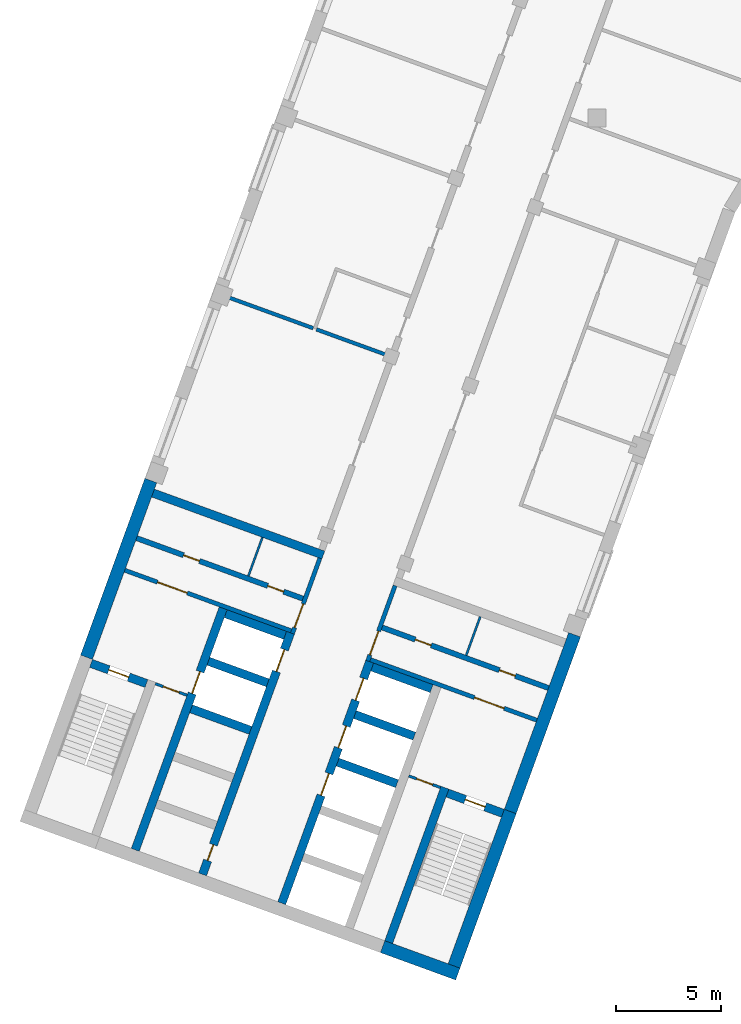
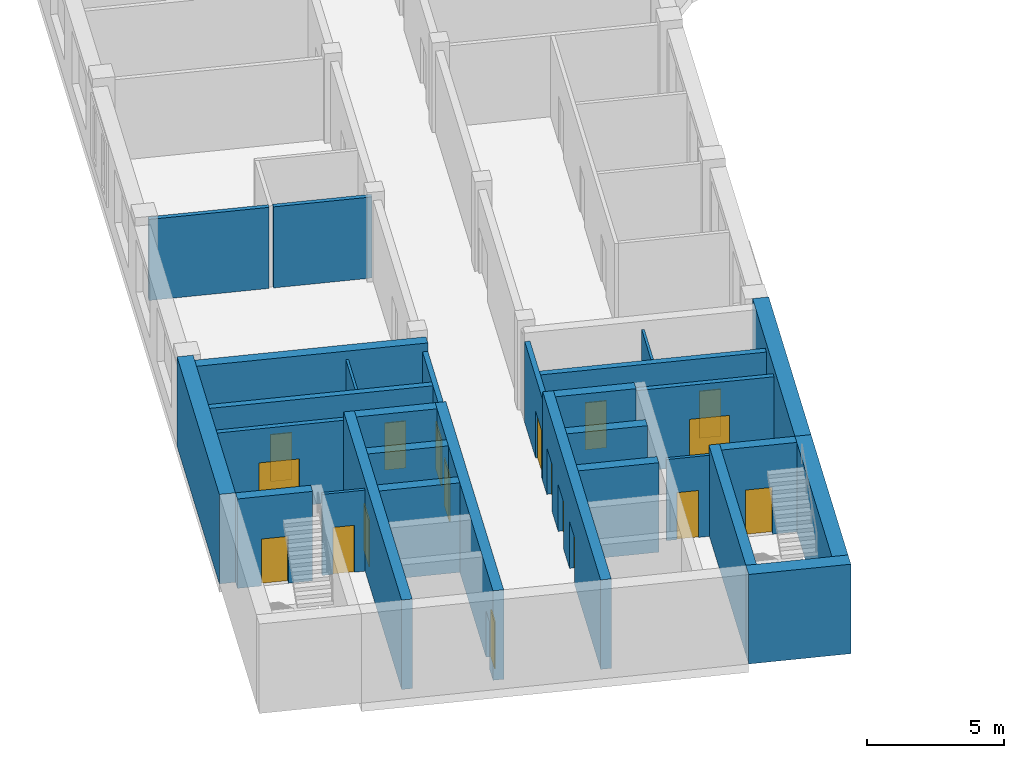
# One storey, part 2 of 14: 29 walls, 18 doors, 18 openings.
"""IFC4 building model written with IfcOpenShell, lengths in metres."""

from ifc_helpers import new_model, si_unit, direction, frame, frame_2d, origin, place, context, subcontext, project, spatial, rectangle, extrude, material, layer, layer_set, type_object, element, fill, save


model = new_model("IFC4")

# Units and contexts
model_context = context("Model", 3, precision=1e-05, world=origin(), true_north=direction((0.0, 1.0)))
body_context = subcontext(model_context, "Body", "Model", "MODEL_VIEW")
ifc_project = project(units=[si_unit("LENGTHUNIT", "METRE"), si_unit("AREAUNIT", "SQUARE_METRE"), si_unit("VOLUMEUNIT", "CUBIC_METRE"), si_unit("PLANEANGLEUNIT", "RADIAN"), si_unit("MASSUNIT", "GRAM", prefix="KILO")], contexts=[model_context])

# Site, building, storey
site_placement = place(None, origin())
site = spatial("IfcSite", under=ifc_project, at=site_placement, CompositionType="ELEMENT")
building_placement = place(site_placement, origin())
building = spatial("IfcBuilding", under=site, at=building_placement, Name="Skarvind Civic Tower", CompositionType="ELEMENT")
storey_placement = place(building_placement, frame((0.0, 0.0, 89.0)))
storey = spatial("IfcBuildingStorey", under=building, at=storey_placement, Name="L20", CompositionType="ELEMENT", Elevation=89.0)

# Walls
ifc_material_1 = material(Name="Acoustic gypsum board on steel studs", Category="steel")
ifc_layer_1 = layer(ifc_material_1, 0.175048828125)
ifc_layer_set_1 = layer_set([ifc_layer_1], Name="ACOUSTIC MEETING-ROOM PARTITION 175")
wall_type_1 = type_object("IfcWallType", Name="ACOUSTIC MEETING-ROOM PARTITION 175", PredefinedType="PARTITIONING", material=ifc_layer_set_1)
wall_1_placement = place(storey_placement, frame((28.27490234375, 109.708984375, 0.0), z_axis=(0.0, 0.0, 1.0), x_axis=(0.939727969122, -0.34192300895, 0.0)))
element("IfcWall", 1, at=wall_1_placement, inside=storey, type_object=wall_type_1, Name="Partition 20.001", PredefinedType="PARTITIONING", context=body_context, shape_type="SweptSolid", body=[
    extrude(rectangle(XDim=4.46630859375, YDim=0.175048828125, at=frame_2d((2.233154296875, 0.0))), origin(), (0.0, 0.0, 1.0), 3.625),
])
wall_2_placement = place(storey_placement, frame((32.6298828125, 108.1240234375, 0.0), z_axis=(0.0, 0.0, 1.0), x_axis=(0.939692277825, -0.342021085601, 0.0)))
element("IfcWall", 2, at=wall_2_placement, inside=storey, type_object=wall_type_1, Name="Partition 20.003", PredefinedType="PARTITIONING", context=body_context, shape_type="SweptSolid", body=[
    extrude(rectangle(XDim=3.666259765625, YDim=0.175048828125, at=frame_2d((1.8330078125, 0.0))), origin(), (0.0, 0.0, 1.0), 3.625),
])

# Wall, opening, door
ifc_material_2 = material(Name="Fire-rated masonry partition", Category="masonry")
ifc_layer_2 = layer(ifc_material_2, 0.199951171875)
ifc_layer_set_2 = layer_set([ifc_layer_2], Name="Core enclosure wall 200")
wall_type_2 = type_object("IfcWallType", Name="Core enclosure wall 200", PredefinedType="PARTITIONING", material=ifc_layer_set_2)
wall_3_placement = place(storey_placement, frame((31.491455078125, 93.693359375, 0.0), z_axis=(0.0, 0.0, 1.0), x_axis=(0.341995824804, 0.939701471648, 0.0)))
wall_3 = element("IfcWall", 3, at=wall_3_placement, inside=storey, type_object=wall_type_2, Name="Core wall C2", PredefinedType="PARTITIONING", context=body_context, shape_type="SweptSolid", body=[
    extrude(rectangle(XDim=3.800048828125, YDim=0.199951171875, at=frame_2d((1.89990234375, 0.0))), origin(), (0.0, 0.0, 1.0), 3.625),
])
opening_1_placement = place(wall_3_placement, frame((0.300048828125, 0.0, 0.0)))
opening_1 = element("IfcOpeningElement", 4, at=opening_1_placement, cuts=wall_3, Name="Opening D-L20-C2-06", PredefinedType="OPENING", context=body_context, shape_type="SweptSolid", body=[
    extrude(rectangle(XDim=1.199951171875, YDim=2.10009765625, at=frame_2d((0.60009765625, 1.050048828125))), frame((0.0, 0.10986328125, 0.0), z_axis=(0.0, -1.0, 0.0), x_axis=(1.0, 0.0, 0.0)), (0.0, 0.0, 1.0), 0.219970703125),
])
ifc_material_3 = material(Name="Fire-rated steel door", Category="steel")
door_type_1 = type_object("IfcDoorType", Name="Core lobby door 1200", OperationType="NOTDEFINED", PredefinedType="DOOR", material=ifc_material_3)
door_1_placement = place(opening_1_placement, origin())
door_1 = element("IfcDoor", 5, at=door_1_placement, inside=storey, type_object=door_type_1, Name="Fire door", OperationType="DOUBLE_DOOR_SINGLE_SWING", OverallHeight=2.10009765625, OverallWidth=1.199951171875, PredefinedType="DOOR", context=body_context, shape_type="SweptSolid", body=[
    extrude(rectangle(XDim=1.199951171875, YDim=2.10009765625, at=frame_2d((0.60009765625, 1.050048828125))), frame((0.0, 0.02490234375, 0.0), z_axis=(0.0, -1.0, 0.0), x_axis=(1.0, 0.0, 0.0)), (0.0, 0.0, 1.0), 0.050048828125),
])
fill(opening_1, door_1)

wall_4_placement = place(storey_placement, frame((23.5380859375, 96.6943359375, 0.0), z_axis=(0.0, 0.0, 1.0), x_axis=(0.939691552312, -0.342023078919, 0.0)))
wall_4 = element("IfcWall", 6, at=wall_4_placement, inside=storey, type_object=wall_type_2, Name="Core wall C2", PredefinedType="PARTITIONING", context=body_context, shape_type="SweptSolid", body=[
    extrude(rectangle(XDim=8.400146484375, YDim=0.199951171875, at=frame_2d((4.2001953125, 0.0))), origin(), (0.0, 0.0, 1.0), 3.625),
])
opening_2_placement = place(wall_4_placement, frame((1.64990234375, 0.0, 0.0)))
opening_2 = element("IfcOpeningElement", 7, at=opening_2_placement, cuts=wall_4, Name="Opening D-L20-C2-07", PredefinedType="OPENING", context=body_context, shape_type="SweptSolid", body=[
    extrude(rectangle(XDim=1.5, YDim=2.10009765625, at=frame_2d((0.75, 1.050048828125))), frame((0.0, 0.10986328125, 0.0), z_axis=(0.0, -1.0, 0.0), x_axis=(1.0, 0.0, 0.0)), (0.0, 0.0, 1.0), 0.219970703125),
])
door_type_2 = type_object("IfcDoorType", Name="Fire door 1500", OperationType="NOTDEFINED", PredefinedType="DOOR", material=ifc_material_3)
door_2_placement = place(opening_2_placement, origin())
door_2 = element("IfcDoor", 8, at=door_2_placement, inside=storey, type_object=door_type_2, Name="Fire door", OperationType="DOUBLE_DOOR_SINGLE_SWING", OverallHeight=2.10009765625, OverallWidth=1.5, PredefinedType="DOOR", context=body_context, shape_type="SweptSolid", body=[
    extrude(rectangle(XDim=1.5, YDim=2.10009765625, at=frame_2d((0.75, 1.050048828125))), frame((0.0, 0.02490234375, 0.0), z_axis=(0.0, -1.0, 0.0), x_axis=(1.0, 0.0, 0.0)), (0.0, 0.0, 1.0), 0.050048828125),
])
fill(opening_2, door_2)

wall_5_placement = place(storey_placement, frame((36.36181640625, 95.96435546875, 0.0), z_axis=(0.0, 0.0, 1.0), x_axis=(-0.341995824804, -0.939701471648, 0.0)))
wall_5 = element("IfcWall", 9, at=wall_5_placement, inside=storey, type_object=wall_type_2, Name="Core wall C2", PredefinedType="PARTITIONING", context=body_context, shape_type="SweptSolid", body=[
    extrude(rectangle(XDim=3.800048828125, YDim=0.199951171875, at=frame_2d((1.89990234375, 0.0))), origin(), (0.0, 0.0, 1.0), 3.625),
])
opening_3_placement = place(wall_5_placement, frame((2.300048828125, 0.0, 0.0)))
opening_3 = element("IfcOpeningElement", 10, at=opening_3_placement, cuts=wall_5, Name="Opening D-L20-C2-12", PredefinedType="OPENING", context=body_context, shape_type="SweptSolid", body=[
    extrude(rectangle(XDim=1.199951171875, YDim=2.10009765625, at=frame_2d((0.60009765625, 1.050048828125))), frame((0.0, 0.10986328125, 0.0), z_axis=(0.0, -1.0, 0.0), x_axis=(1.0, 0.0, 0.0)), (0.0, 0.0, 1.0), 0.219970703125),
])
door_3_placement = place(opening_3_placement, origin())
door_3 = element("IfcDoor", 11, at=door_3_placement, inside=storey, type_object=door_type_1, Name="Fire door", OperationType="DOUBLE_DOOR_SINGLE_SWING", OverallHeight=2.10009765625, OverallWidth=1.199951171875, PredefinedType="DOOR", context=body_context, shape_type="SweptSolid", body=[
    extrude(rectangle(XDim=1.199951171875, YDim=2.10009765625, at=frame_2d((0.60009765625, 1.050048828125))), frame((0.0, 0.02490234375, 0.0), z_axis=(0.0, -1.0, 0.0), x_axis=(1.0, 0.0, 0.0)), (0.0, 0.0, 1.0), 0.050048828125),
])
fill(opening_3, door_3)

wall_6_placement = place(storey_placement, frame((35.1904296875, 92.453369140625, 0.0), z_axis=(0.0, 0.0, 1.0), x_axis=(0.939691552312, -0.342023078919, 0.0)))
wall_6 = element("IfcWall", 12, at=wall_6_placement, inside=storey, type_object=wall_type_2, Name="Core wall C2", PredefinedType="PARTITIONING", context=body_context, shape_type="SweptSolid", body=[
    extrude(rectangle(XDim=8.400146484375, YDim=0.199951171875, at=frame_2d((4.2001953125, 0.0))), origin(), (0.0, 0.0, 1.0), 3.625),
])
opening_4_placement = place(wall_6_placement, frame((5.25, 0.0, 0.0)))
opening_4 = element("IfcOpeningElement", 13, at=opening_4_placement, cuts=wall_6, Name="Opening D-L20-C2-13", PredefinedType="OPENING", context=body_context, shape_type="SweptSolid", body=[
    extrude(rectangle(XDim=1.5, YDim=2.10009765625, at=frame_2d((0.75, 1.050048828125))), frame((0.0, 0.10986328125, 0.0), z_axis=(0.0, -1.0, 0.0), x_axis=(1.0, 0.0, 0.0)), (0.0, 0.0, 1.0), 0.219970703125),
])
door_4_placement = place(opening_4_placement, origin())
door_4 = element("IfcDoor", 14, at=door_4_placement, inside=storey, type_object=door_type_2, Name="Fire door", OperationType="DOUBLE_DOOR_SINGLE_SWING", OverallHeight=2.10009765625, OverallWidth=1.5, PredefinedType="DOOR", context=body_context, shape_type="SweptSolid", body=[
    extrude(rectangle(XDim=1.5, YDim=2.10009765625, at=frame_2d((0.75, 1.050048828125))), frame((0.0, 0.02490234375, 0.0), z_axis=(0.0, -1.0, 0.0), x_axis=(1.0, 0.0, 0.0)), (0.0, 0.0, 1.0), 0.050048828125),
])
fill(opening_4, door_4)

# Walls
ifc_material_4 = material(Name="Fire-rated plasterboard partition")
ifc_layer_3 = layer(ifc_material_4, 0.10009765625)
ifc_layer_set_3 = layer_set([ifc_layer_3], Name="Core partition wall 100")
wall_type_3 = type_object("IfcWallType", Name="Core partition wall 100", PredefinedType="PARTITIONING", material=ifc_layer_set_3)
for number, where, z_axis, x_axis, name in (
    (15, (29.399169921875, 96.423583984375, 0.0), (0.0, 0.0, 1.0), (0.341913947243, 0.939731266204, 0.0), "Core wall C2"),
    (16, (40.402587890625, 94.49365234375, 0.0), (0.0, 0.0, 1.0), (-0.342064742067, -0.939676386973, 0.0), "Core wall C2"),
):
    element("IfcWall", number, at=place(storey_placement, frame(where, z_axis=z_axis, x_axis=x_axis)), inside=storey, type_object=wall_type_3, Name=name, PredefinedType="PARTITIONING", context=body_context, shape_type="SweptSolid", body=[
        extrude(rectangle(XDim=1.949951171875, YDim=0.10009765625, at=frame_2d((0.97509765625, 0.0))), origin(), (0.0, 0.0, 1.0), 3.625),
    ])
ifc_material_5 = material(Name="Concrete C80", Category="concrete")
ifc_layer_4 = layer(ifc_material_5, 0.39990234375)
ifc_layer_set_4 = layer_set([ifc_layer_4], Name="Core wall 400 C80")
wall_type_4 = type_object("IfcWallType", Name="Core wall 400 C80", PredefinedType="SHEAR", material=ifc_layer_set_4)
wall_7_placement = place(storey_placement, frame((36.057861328125, 79.04833984375, 0.0), z_axis=(0.0, 0.0, 1.0), x_axis=(0.342016982193, 0.939693771338, 0.0)))
element("IfcWall", 17, at=wall_7_placement, inside=storey, type_object=wall_type_4, Name="Core wall C2 south stair inner L20", PredefinedType="SHEAR", context=body_context, shape_type="SweptSolid", body=[
    extrude(rectangle(XDim=7.800048828125, YDim=0.39990234375, at=frame_2d((3.89990234375, 0.0))), origin(), (0.0, 0.0, 1.0), 4.0),
])

# Wall, opening, door
wall_8_placement = place(storey_placement, frame((41.476318359375, 85.163818359375, 0.0), z_axis=(0.0, 0.0, 1.0), x_axis=(-0.939678810556, 0.342058084236, 0.0)))
wall_8 = element("IfcWall", 18, at=wall_8_placement, inside=storey, type_object=wall_type_4, Name="Core wall C2 south stair end L20", PredefinedType="SHEAR", context=body_context, shape_type="SweptSolid", body=[
    extrude(rectangle(XDim=2.800048828125, YDim=0.39990234375, at=frame_2d((1.39990234375, 0.0))), origin(), (0.0, 0.0, 1.0), 4.0),
])
opening_5_placement = place(wall_8_placement, frame((0.89990234375, 0.0, 0.0)))
opening_5 = element("IfcOpeningElement", 19, at=opening_5_placement, cuts=wall_8, Name="Opening D-L20-C2-14", PredefinedType="OPENING", context=body_context, shape_type="SweptSolid", body=[
    extrude(rectangle(XDim=1.0, YDim=2.10009765625, at=frame_2d((0.5, 1.050048828125))), frame((0.0, 0.2099609375, 0.0), z_axis=(0.0, -1.0, 0.0), x_axis=(1.0, 0.0, 0.0)), (0.0, 0.0, 1.0), 0.419921875),
])
door_type_3 = type_object("IfcDoorType", Name="Fire door 1000", OperationType="NOTDEFINED", PredefinedType="DOOR", material=ifc_material_3)
door_5_placement = place(opening_5_placement, origin())
door_5 = element("IfcDoor", 20, at=door_5_placement, inside=storey, type_object=door_type_3, Name="Fire door", OperationType="SINGLE_SWING_RIGHT", OverallHeight=2.10009765625, OverallWidth=1.0, PredefinedType="DOOR", context=body_context, shape_type="SweptSolid", body=[
    extrude(rectangle(XDim=1.0, YDim=2.10009765625, at=frame_2d((0.5, 1.050048828125))), frame((0.0, 0.02490234375, 0.0), z_axis=(0.0, -1.0, 0.0), x_axis=(1.0, 0.0, 0.0)), (0.0, 0.0, 1.0), 0.050048828125),
])
fill(opening_5, door_5)

wall_9_placement = place(storey_placement, frame((24.56201171875, 91.3203125, 0.0), z_axis=(0.0, 0.0, 1.0), x_axis=(-0.939717030584, 0.341953070509, 0.0)))
wall_9 = element("IfcWall", 21, at=wall_9_placement, inside=storey, type_object=wall_type_4, Name="Core wall C2 north stair end L20", PredefinedType="SHEAR", context=body_context, shape_type="SweptSolid", body=[
    extrude(rectangle(XDim=2.800048828125, YDim=0.39990234375, at=frame_2d((1.39990234375, 0.0))), origin(), (0.0, 0.0, 1.0), 4.0),
])
opening_6_placement = place(wall_9_placement, frame((0.89990234375, 0.0, 0.0)))
opening_6 = element("IfcOpeningElement", 22, at=opening_6_placement, cuts=wall_9, Name="Opening D-L20-C2-08", PredefinedType="OPENING", context=body_context, shape_type="SweptSolid", body=[
    extrude(rectangle(XDim=1.0, YDim=2.10009765625, at=frame_2d((0.5, 1.050048828125))), frame((0.0, 0.2099609375, 0.0), z_axis=(0.0, -1.0, 0.0), x_axis=(1.0, 0.0, 0.0)), (0.0, 0.0, 1.0), 0.419921875),
])
door_6_placement = place(opening_6_placement, origin())
door_6 = element("IfcDoor", 23, at=door_6_placement, inside=storey, type_object=door_type_3, Name="Fire door", OperationType="SINGLE_SWING_LEFT", OverallHeight=2.10009765625, OverallWidth=1.0, PredefinedType="DOOR", context=body_context, shape_type="SweptSolid", body=[
    extrude(rectangle(XDim=1.0, YDim=2.10009765625, at=frame_2d((0.5, 1.050048828125))), frame((0.0, 0.02490234375, 0.0), z_axis=(0.0, -1.0, 0.0), x_axis=(1.0, 0.0, 0.0)), (0.0, 0.0, 1.0), 0.050048828125),
])
fill(opening_6, door_6)

# Wall, openings, doors
wall_10_placement = place(storey_placement, frame((30.983642578125, 80.895263671875, 0.0), z_axis=(0.0, 0.0, 1.0), x_axis=(0.342021021735, 0.939692301071, 0.0)))
wall_10 = element("IfcWall", 24, at=wall_10_placement, inside=storey, type_object=wall_type_4, Name="Core wall C2 south lift row front L20", PredefinedType="SHEAR", context=body_context, shape_type="SweptSolid", body=[
    extrude(rectangle(XDim=12.199951171875, YDim=0.39990234375, at=frame_2d((6.10009765625, 0.0))), origin(), (0.0, 0.0, 1.0), 4.0),
])
opening_7_placement = place(wall_10_placement, frame((5.449951171875, 0.0, 0.0)))
opening_7 = element("IfcOpeningElement", 25, at=opening_7_placement, cuts=wall_10, Name="Opening LD22208", PredefinedType="OPENING", context=body_context, shape_type="SweptSolid", body=[
    extrude(rectangle(XDim=1.10009765625, YDim=2.10009765625, at=frame_2d((0.550048828125, 1.050048828125))), frame((0.0, 0.2099609375, 0.0), z_axis=(0.0, -1.0, 0.0), x_axis=(1.0, 0.0, 0.0)), (0.0, 0.0, 1.0), 0.419921875),
])
opening_8_placement = place(wall_10_placement, frame((7.85009765625, 0.0, 0.0)))
opening_8 = element("IfcOpeningElement", 26, at=opening_8_placement, cuts=wall_10, Name="Opening LD22209", PredefinedType="OPENING", context=body_context, shape_type="SweptSolid", body=[
    extrude(rectangle(XDim=1.10009765625, YDim=2.10009765625, at=frame_2d((0.550048828125, 1.050048828125))), frame((0.0, 0.2099609375, 0.0), z_axis=(0.0, -1.0, 0.0), x_axis=(1.0, 0.0, 0.0)), (0.0, 0.0, 1.0), 0.419921875),
])
opening_9_placement = place(wall_10_placement, frame((10.25, 0.0, 0.0)))
opening_9 = element("IfcOpeningElement", 27, at=opening_9_placement, cuts=wall_10, Name="Opening LD22210", PredefinedType="OPENING", context=body_context, shape_type="SweptSolid", body=[
    extrude(rectangle(XDim=1.10009765625, YDim=2.10009765625, at=frame_2d((0.550048828125, 1.050048828125))), frame((0.0, 0.2099609375, 0.0), z_axis=(0.0, -1.0, 0.0), x_axis=(1.0, 0.0, 0.0)), (0.0, 0.0, 1.0), 0.419921875),
])
ifc_material_6 = material(Name="Stainless steel landing door", Category="steel")
door_type_4 = type_object("IfcDoorType", Name="Lift landing door 1100", OperationType="DOUBLE_DOOR_SLIDING", PredefinedType="DOOR", material=ifc_material_6)
door_7_placement = place(opening_7_placement, origin())
door_7 = element("IfcDoor", 28, at=door_7_placement, inside=storey, type_object=door_type_4, Name="Lift landing door", OperationType="DOUBLE_DOOR_SLIDING", OverallHeight=2.10009765625, OverallWidth=1.10009765625, PredefinedType="DOOR", context=body_context, shape_type="SweptSolid", body=[
    extrude(rectangle(XDim=1.10009765625, YDim=2.10009765625, at=frame_2d((0.550048828125, 1.050048828125))), frame((0.0, 0.02490234375, 0.0), z_axis=(0.0, -1.0, 0.0), x_axis=(1.0, 0.0, 0.0)), (0.0, 0.0, 1.0), 0.050048828125),
])
fill(opening_7, door_7)
door_8_placement = place(opening_8_placement, origin())
door_8 = element("IfcDoor", 29, at=door_8_placement, inside=storey, type_object=door_type_4, Name="Lift landing door", OperationType="DOUBLE_DOOR_SLIDING", OverallHeight=2.10009765625, OverallWidth=1.10009765625, PredefinedType="DOOR", context=body_context, shape_type="SweptSolid", body=[
    extrude(rectangle(XDim=1.10009765625, YDim=2.10009765625, at=frame_2d((0.550048828125, 1.050048828125))), frame((0.0, 0.02490234375, 0.0), z_axis=(0.0, -1.0, 0.0), x_axis=(1.0, 0.0, 0.0)), (0.0, 0.0, 1.0), 0.050048828125),
])
fill(opening_8, door_8)
door_9_placement = place(opening_9_placement, origin())
door_9 = element("IfcDoor", 30, at=door_9_placement, inside=storey, type_object=door_type_4, Name="Lift landing door", OperationType="DOUBLE_DOOR_SLIDING", OverallHeight=2.10009765625, OverallWidth=1.10009765625, PredefinedType="DOOR", context=body_context, shape_type="SweptSolid", body=[
    extrude(rectangle(XDim=1.10009765625, YDim=2.10009765625, at=frame_2d((0.550048828125, 1.050048828125))), frame((0.0, 0.02490234375, 0.0), z_axis=(0.0, -1.0, 0.0), x_axis=(1.0, 0.0, 0.0)), (0.0, 0.0, 1.0), 0.050048828125),
])
fill(opening_9, door_9)

# Walls
for number, where, z_axis, x_axis, name in (
    (31, (36.453125, 86.56640625, 0.0), (0.0, 0.0, 1.0), (-0.939686455819, 0.342037080957, 0.0), "Core wall C2 south lift row division 3 L20"),
    (32, (37.27392578125, 88.82177734375, 0.0), (0.0, 0.0, 1.0), (-0.939686455819, 0.342037080957, 0.0), "Core wall C2 south lift row division 4 L20"),
):
    element("IfcWall", number, at=place(storey_placement, frame(where, z_axis=z_axis, x_axis=x_axis)), inside=storey, type_object=wall_type_4, Name=name, PredefinedType="SHEAR", context=body_context, shape_type="SweptSolid", body=[
        extrude(rectangle(XDim=3.0, YDim=0.39990234375, at=frame_2d((1.5, 0.0))), origin(), (0.0, 0.0, 1.0), 4.0),
    ])
wall_11_placement = place(storey_placement, frame((38.0947265625, 91.076904296875, 0.0), z_axis=(0.0, 0.0, 1.0), x_axis=(-0.939676934218, 0.342063238742, 0.0)))
element("IfcWall", 33, at=wall_11_placement, inside=storey, type_object=wall_type_4, Name="Core wall C2 south lift row division 5 L20", PredefinedType="SHEAR", context=body_context, shape_type="SweptSolid", body=[
    extrude(rectangle(XDim=2.999755859375, YDim=0.39990234375, at=frame_2d((1.5, 0.0))), origin(), (0.0, 0.0, 1.0), 4.0),
])

# Wall, openings, doors
wall_12_placement = place(storey_placement, frame((27.224853515625, 82.26318359375, 0.0), z_axis=(0.0, 0.0, 1.0), x_axis=(0.342014590177, 0.939694641948, 0.0)))
wall_12 = element("IfcWall", 34, at=wall_12_placement, inside=storey, type_object=wall_type_4, Name="Core wall C2 north lift row front L20", PredefinedType="SHEAR", context=body_context, shape_type="SweptSolid", body=[
    extrude(rectangle(XDim=12.2001953125, YDim=0.39990234375, at=frame_2d((6.10009765625, 0.0))), origin(), (0.0, 0.0, 1.0), 4.0),
])
opening_10_placement = place(wall_12_placement, frame((10.25, 0.0, 0.0)))
opening_10 = element("IfcOpeningElement", 35, at=opening_10_placement, cuts=wall_12, Name="Opening LD22205", PredefinedType="OPENING", context=body_context, shape_type="SweptSolid", body=[
    extrude(rectangle(XDim=1.10009765625, YDim=2.10009765625, at=frame_2d((0.550048828125, 1.050048828125))), frame((0.0, 0.2099609375, 0.0), z_axis=(0.0, -1.0, 0.0), x_axis=(1.0, 0.0, 0.0)), (0.0, 0.0, 1.0), 0.419921875),
])
opening_11_placement = place(wall_12_placement, frame((0.699951171875, 0.0, 0.0)))
opening_11 = element("IfcOpeningElement", 36, at=opening_11_placement, cuts=wall_12, Name="Opening D-L20-C2-05", PredefinedType="OPENING", context=body_context, shape_type="SweptSolid", body=[
    extrude(rectangle(XDim=0.800048828125, YDim=2.10009765625, at=frame_2d((0.39990234375, 1.050048828125))), frame((0.0, 0.2099609375, 0.0), z_axis=(0.0, -1.0, 0.0), x_axis=(1.0, 0.0, 0.0)), (0.0, 0.0, 1.0), 0.419921875),
])
door_type_5 = type_object("IfcDoorType", Name="Core riser door 800", OperationType="NOTDEFINED", PredefinedType="DOOR", material=ifc_material_3)
door_10_placement = place(opening_11_placement, origin())
door_10 = element("IfcDoor", 37, at=door_10_placement, inside=storey, type_object=door_type_5, Name="Riser door", OperationType="SINGLE_SWING_LEFT", OverallHeight=2.10009765625, OverallWidth=0.800048828125, PredefinedType="DOOR", context=body_context, shape_type="SweptSolid", body=[
    extrude(rectangle(XDim=0.800048828125, YDim=2.10009765625, at=frame_2d((0.39990234375, 1.050048828125))), frame((0.0, 0.02490234375, 0.0), z_axis=(0.0, -1.0, 0.0), x_axis=(1.0, 0.0, 0.0)), (0.0, 0.0, 1.0), 0.050048828125),
])
fill(opening_11, door_10)
door_11_placement = place(opening_10_placement, origin())
door_11 = element("IfcDoor", 38, at=door_11_placement, inside=storey, type_object=door_type_4, Name="Lift landing door", OperationType="DOUBLE_DOOR_SLIDING", OverallHeight=2.10009765625, OverallWidth=1.10009765625, PredefinedType="DOOR", context=body_context, shape_type="SweptSolid", body=[
    extrude(rectangle(XDim=1.10009765625, YDim=2.10009765625, at=frame_2d((0.550048828125, 1.050048828125))), frame((0.0, 0.02490234375, 0.0), z_axis=(0.0, -1.0, 0.0), x_axis=(1.0, 0.0, 0.0)), (0.0, 0.0, 1.0), 0.050048828125),
])
fill(opening_10, door_11)

# Wall, opening, door
wall_13_placement = place(storey_placement, frame((24.02978515625, 83.426025390625, 0.0), z_axis=(0.0, 0.0, 1.0), x_axis=(0.342014590177, 0.939694641948, 0.0)))
wall_13 = element("IfcWall", 39, at=wall_13_placement, inside=storey, type_object=wall_type_4, Name="Core wall C2 north lift row back L20", PredefinedType="SHEAR", context=body_context, shape_type="SweptSolid", body=[
    extrude(rectangle(XDim=12.2001953125, YDim=0.39990234375, at=frame_2d((6.10009765625, 0.0))), origin(), (0.0, 0.0, 1.0), 4.0),
])
opening_12_placement = place(wall_13_placement, frame((7.89990234375, 0.0, 0.0)))
opening_12 = element("IfcOpeningElement", 40, at=opening_12_placement, cuts=wall_13, Name="Opening LD22204", PredefinedType="OPENING", context=body_context, shape_type="SweptSolid", body=[
    extrude(rectangle(XDim=1.10009765625, YDim=2.10009765625, at=frame_2d((0.550048828125, 1.050048828125))), frame((0.0, 0.2099609375, 0.0), z_axis=(0.0, -1.0, 0.0), x_axis=(1.0, 0.0, 0.0)), (0.0, 0.0, 1.0), 0.419921875),
])
door_12_placement = place(opening_12_placement, origin())
door_12 = element("IfcDoor", 41, at=door_12_placement, inside=storey, type_object=door_type_4, Name="Lift landing door", OperationType="DOUBLE_DOOR_SLIDING", OverallHeight=2.10009765625, OverallWidth=1.10009765625, PredefinedType="DOOR", context=body_context, shape_type="SweptSolid", body=[
    extrude(rectangle(XDim=1.10009765625, YDim=2.10009765625, at=frame_2d((0.550048828125, 1.050048828125))), frame((0.0, 0.02490234375, 0.0), z_axis=(0.0, -1.0, 0.0), x_axis=(1.0, 0.0, 0.0)), (0.0, 0.0, 1.0), 0.050048828125),
])
fill(opening_12, door_12)

# Walls
for number, where, z_axis, x_axis, name in (
    (42, (29.49951171875, 89.097412109375, 0.0), (0.0, 0.0, 1.0), (-0.939686455819, 0.342037080957, 0.0), "Core wall C2 north lift row division 3 L20"),
    (43, (30.3203125, 91.352783203125, 0.0), (0.0, 0.0, 1.0), (-0.939712609717, 0.341965219194, 0.0), "Core wall C2 north lift row division 4 L20"),
    (44, (31.14111328125, 93.60791015625, 0.0), (0.0, 0.0, 1.0), (-0.939686455819, 0.342037080957, 0.0), "Core wall C2 north lift row division 5 L20"),
):
    element("IfcWall", number, at=place(storey_placement, frame(where, z_axis=z_axis, x_axis=x_axis)), inside=storey, type_object=wall_type_4, Name=name, PredefinedType="SHEAR", context=body_context, shape_type="SweptSolid", body=[
        extrude(rectangle(XDim=3.0, YDim=0.39990234375, at=frame_2d((1.5, 0.0))), origin(), (0.0, 0.0, 1.0), 4.0),
    ])
wall_14_placement = place(storey_placement, frame((32.953369140625, 97.417724609375, 0.0), z_axis=(0.0, 0.0, 1.0), x_axis=(-0.93969060187, 0.342025690201, 0.0)))
element("IfcWall", 45, at=wall_14_placement, inside=storey, type_object=wall_type_4, Name="Core wall C2 north inner face L20", PredefinedType="SHEAR", context=body_context, shape_type="SweptSolid", body=[
    extrude(rectangle(XDim=8.599853515625, YDim=0.39990234375, at=frame_2d((4.2998046875, 0.0))), origin(), (0.0, 0.0, 1.0), 4.0),
])
ifc_layer_5 = layer(ifc_material_5, 0.60009765625)
ifc_layer_set_5 = layer_set([ifc_layer_5], Name="Core wall 600 C80")
wall_type_5 = type_object("IfcWallType", Name="Core wall 600 C80", PredefinedType="SHEAR", material=ifc_layer_set_5)
wall_15_placement = place(storey_placement, frame((39.338134765625, 77.53515625, 0.0), z_axis=(0.0, 0.0, 1.0), x_axis=(-0.939701471648, 0.341995824804, 0.0)))
element("IfcWall", 46, at=wall_15_placement, inside=storey, type_object=wall_type_5, Name="Core wall C2 tip at the south stair L20", PredefinedType="SHEAR", context=body_context, shape_type="SweptSolid", body=[
    extrude(rectangle(XDim=3.800048828125, YDim=0.60009765625, at=frame_2d((1.89990234375, 0.0))), origin(), (0.0, 0.0, 1.0), 4.0),
])
wall_16_placement = place(storey_placement, frame((39.158935546875, 77.919677734375, 0.0), z_axis=(0.0, 0.0, 1.0), x_axis=(0.342016982193, 0.939693771338, 0.0)))
element("IfcWall", 47, at=wall_16_placement, inside=storey, type_object=wall_type_5, Name="Core wall C2 south side at the stair L20", PredefinedType="SHEAR", context=body_context, shape_type="SweptSolid", body=[
    extrude(rectangle(XDim=7.800048828125, YDim=0.60009765625, at=frame_2d((3.89990234375, 0.0))), origin(), (0.0, 0.0, 1.0), 4.0),
])
for number, where, z_axis, x_axis, name in (
    (48, (41.82666015625, 85.249267578125, 0.0), (0.0, 0.0, 1.0), (0.342017595281, 0.939693548195, 0.0), "Core wall C2 south side L20"),
    (49, (21.71728515625, 92.568359375, 0.0), (0.0, 0.0, 1.0), (0.342017595281, 0.939693548195, 0.0), "Core wall C2 north side L20"),
):
    element("IfcWall", number, at=place(storey_placement, frame(where, z_axis=z_axis, x_axis=x_axis)), inside=storey, type_object=wall_type_5, Name=name, PredefinedType="SHEAR", context=body_context, shape_type="SweptSolid", body=[
        extrude(rectangle(XDim=8.925048828125, YDim=0.60009765625, at=frame_2d((4.46240234375, 0.0))), origin(), (0.0, 0.0, 1.0), 4.0),
    ])

# Wall, opening, door
ifc_layer_6 = layer(ifc_material_2, 0.125)
ifc_layer_set_6 = layer_set([ifc_layer_6], Name="Riser wall 125")
wall_type_6 = type_object("IfcWallType", Name="Riser wall 125", PredefinedType="PARTITIONING", material=ifc_layer_set_6)
wall_17_placement = place(storey_placement, frame((24.98486328125, 91.3125, 0.0), z_axis=(0.0, 0.0, 1.0), x_axis=(0.939708740826, -0.341975850632, 0.0)))
wall_17 = element("IfcWall", 50, at=wall_17_placement, inside=storey, type_object=wall_type_6, Name="Core wall C2", PredefinedType="PARTITIONING", context=body_context, shape_type="SweptSolid", body=[
    extrude(rectangle(XDim=1.599853515625, YDim=0.125, at=frame_2d((0.7998046875, 0.0))), origin(), (0.0, 0.0, 1.0), 3.625),
])
opening_13_placement = place(wall_17_placement, frame((0.39990234375, 0.0, 0.0)))
opening_13 = element("IfcOpeningElement", 51, at=opening_13_placement, cuts=wall_17, Name="Opening D-L20-C2-09", PredefinedType="OPENING", context=body_context, shape_type="SweptSolid", body=[
    extrude(rectangle(XDim=0.800048828125, YDim=2.10009765625, at=frame_2d((0.39990234375, 1.050048828125))), frame((0.0, 0.072509765625, 0.0), z_axis=(0.0, -1.0, 0.0), x_axis=(1.0, 0.0, 0.0)), (0.0, 0.0, 1.0), 0.14501953125),
])
door_13_placement = place(opening_13_placement, origin())
door_13 = element("IfcDoor", 52, at=door_13_placement, inside=storey, type_object=door_type_5, Name="Riser door", OperationType="SINGLE_SWING_RIGHT", OverallHeight=2.10009765625, OverallWidth=0.800048828125, PredefinedType="DOOR", context=body_context, shape_type="SweptSolid", body=[
    extrude(rectangle(XDim=0.800048828125, YDim=2.10009765625, at=frame_2d((0.39990234375, 1.050048828125))), frame((0.0, 0.02490234375, 0.0), z_axis=(0.0, -1.0, 0.0), x_axis=(1.0, 0.0, 0.0)), (0.0, 0.0, 1.0), 0.050048828125),
])
fill(opening_13, door_13)

wall_18_placement = place(storey_placement, frame((37.012939453125, 86.934814453125, 0.0), z_axis=(0.0, 0.0, 1.0), x_axis=(0.939659694648, -0.342110593602, 0.0)))
wall_18 = element("IfcWall", 53, at=wall_18_placement, inside=storey, type_object=wall_type_6, Name="Core wall C2", PredefinedType="PARTITIONING", context=body_context, shape_type="SweptSolid", body=[
    extrude(rectangle(XDim=1.599853515625, YDim=0.125, at=frame_2d((0.7998046875, 0.0))), origin(), (0.0, 0.0, 1.0), 3.625),
])
opening_14_placement = place(wall_18_placement, frame((0.39990234375, 0.0, 0.0)))
opening_14 = element("IfcOpeningElement", 54, at=opening_14_placement, cuts=wall_18, Name="Opening D-L20-C2-15", PredefinedType="OPENING", context=body_context, shape_type="SweptSolid", body=[
    extrude(rectangle(XDim=0.800048828125, YDim=2.10009765625, at=frame_2d((0.39990234375, 1.050048828125))), frame((0.0, 0.072509765625, 0.0), z_axis=(0.0, -1.0, 0.0), x_axis=(1.0, 0.0, 0.0)), (0.0, 0.0, 1.0), 0.14501953125),
])
door_14_placement = place(opening_14_placement, origin())
door_14 = element("IfcDoor", 55, at=door_14_placement, inside=storey, type_object=door_type_5, Name="Riser door", OperationType="SINGLE_SWING_LEFT", OverallHeight=2.10009765625, OverallWidth=0.800048828125, PredefinedType="DOOR", context=body_context, shape_type="SweptSolid", body=[
    extrude(rectangle(XDim=0.800048828125, YDim=2.10009765625, at=frame_2d((0.39990234375, 1.050048828125))), frame((0.0, 0.02490234375, 0.0), z_axis=(0.0, -1.0, 0.0), x_axis=(1.0, 0.0, 0.0)), (0.0, 0.0, 1.0), 0.050048828125),
])
fill(opening_14, door_14)

# Wall, openings, doors
ifc_layer_7 = layer(ifc_material_2, 0.25)
ifc_layer_set_7 = layer_set([ifc_layer_7], Name="Service block wall 250")
wall_type_7 = type_object("IfcWallType", Name="Service block wall 250", PredefinedType="PARTITIONING", material=ifc_layer_set_7)
wall_19_placement = place(storey_placement, frame((24.093994140625, 98.221435546875, 0.0), z_axis=(0.0, 0.0, 1.0), x_axis=(0.939691552312, -0.342023078919, 0.0)))
wall_19 = element("IfcWall", 56, at=wall_19_placement, inside=storey, type_object=wall_type_7, Name="Core wall C2", PredefinedType="PARTITIONING", context=body_context, shape_type="SweptSolid", body=[
    extrude(rectangle(XDim=8.400146484375, YDim=0.25, at=frame_2d((4.2001953125, 0.0))), origin(), (0.0, 0.0, 1.0), 3.625),
])
opening_15_placement = place(wall_19_placement, frame((6.625, 0.0, 0.0)))
opening_15 = element("IfcOpeningElement", 57, at=opening_15_placement, cuts=wall_19, Name="Opening D-L20-C2-10", PredefinedType="OPENING", context=body_context, shape_type="SweptSolid", body=[
    extrude(rectangle(XDim=0.800048828125, YDim=2.10009765625, at=frame_2d((0.39990234375, 1.050048828125))), frame((0.0, 0.135009765625, 0.0), z_axis=(0.0, -1.0, 0.0), x_axis=(1.0, 0.0, 0.0)), (0.0, 0.0, 1.0), 0.27001953125),
])
opening_16_placement = place(wall_19_placement, frame((2.375, 0.0, 0.0)))
opening_16 = element("IfcOpeningElement", 58, at=opening_16_placement, cuts=wall_19, Name="Opening D-L20-C2-11", PredefinedType="OPENING", context=body_context, shape_type="SweptSolid", body=[
    extrude(rectangle(XDim=0.800048828125, YDim=2.10009765625, at=frame_2d((0.39990234375, 1.050048828125))), frame((0.0, 0.135009765625, 0.0), z_axis=(0.0, -1.0, 0.0), x_axis=(1.0, 0.0, 0.0)), (0.0, 0.0, 1.0), 0.27001953125),
])
door_15_placement = place(opening_15_placement, origin())
door_15 = element("IfcDoor", 59, at=door_15_placement, inside=storey, type_object=door_type_5, Name="Riser door", OperationType="SINGLE_SWING_LEFT", OverallHeight=2.10009765625, OverallWidth=0.800048828125, PredefinedType="DOOR", context=body_context, shape_type="SweptSolid", body=[
    extrude(rectangle(XDim=0.800048828125, YDim=2.10009765625, at=frame_2d((0.39990234375, 1.050048828125))), frame((0.0, 0.02490234375, 0.0), z_axis=(0.0, -1.0, 0.0), x_axis=(1.0, 0.0, 0.0)), (0.0, 0.0, 1.0), 0.050048828125),
])
fill(opening_15, door_15)
door_16_placement = place(opening_16_placement, origin())
door_16 = element("IfcDoor", 60, at=door_16_placement, inside=storey, type_object=door_type_5, Name="Riser door", OperationType="SINGLE_SWING_RIGHT", OverallHeight=2.10009765625, OverallWidth=0.800048828125, PredefinedType="DOOR", context=body_context, shape_type="SweptSolid", body=[
    extrude(rectangle(XDim=0.800048828125, YDim=2.10009765625, at=frame_2d((0.39990234375, 1.050048828125))), frame((0.0, 0.02490234375, 0.0), z_axis=(0.0, -1.0, 0.0), x_axis=(1.0, 0.0, 0.0)), (0.0, 0.0, 1.0), 0.050048828125),
])
fill(opening_16, door_16)

wall_20_placement = place(storey_placement, frame((35.74609375, 93.98046875, 0.0), z_axis=(0.0, 0.0, 1.0), x_axis=(0.939691552312, -0.342023078919, 0.0)))
wall_20 = element("IfcWall", 61, at=wall_20_placement, inside=storey, type_object=wall_type_7, Name="Core wall C2", PredefinedType="PARTITIONING", context=body_context, shape_type="SweptSolid", body=[
    extrude(rectangle(XDim=8.400146484375, YDim=0.25, at=frame_2d((4.2001953125, 0.0))), origin(), (0.0, 0.0, 1.0), 3.625),
])
opening_17_placement = place(wall_20_placement, frame((1.675048828125, 0.0, 0.0)))
opening_17 = element("IfcOpeningElement", 62, at=opening_17_placement, cuts=wall_20, Name="Opening D-L20-C2-16", PredefinedType="OPENING", context=body_context, shape_type="SweptSolid", body=[
    extrude(rectangle(XDim=0.800048828125, YDim=2.10009765625, at=frame_2d((0.39990234375, 1.050048828125))), frame((0.0, 0.135009765625, 0.0), z_axis=(0.0, -1.0, 0.0), x_axis=(1.0, 0.0, 0.0)), (0.0, 0.0, 1.0), 0.27001953125),
])
opening_18_placement = place(wall_20_placement, frame((5.925048828125, 0.0, 0.0)))
opening_18 = element("IfcOpeningElement", 63, at=opening_18_placement, cuts=wall_20, Name="Opening D-L20-C2-17", PredefinedType="OPENING", context=body_context, shape_type="SweptSolid", body=[
    extrude(rectangle(XDim=0.800048828125, YDim=2.10009765625, at=frame_2d((0.39990234375, 1.050048828125))), frame((0.0, 0.135009765625, 0.0), z_axis=(0.0, -1.0, 0.0), x_axis=(1.0, 0.0, 0.0)), (0.0, 0.0, 1.0), 0.27001953125),
])
door_17_placement = place(opening_17_placement, origin())
door_17 = element("IfcDoor", 64, at=door_17_placement, inside=storey, type_object=door_type_5, Name="Riser door", OperationType="SINGLE_SWING_RIGHT", OverallHeight=2.10009765625, OverallWidth=0.800048828125, PredefinedType="DOOR", context=body_context, shape_type="SweptSolid", body=[
    extrude(rectangle(XDim=0.800048828125, YDim=2.10009765625, at=frame_2d((0.39990234375, 1.050048828125))), frame((0.0, 0.02490234375, 0.0), z_axis=(0.0, -1.0, 0.0), x_axis=(1.0, 0.0, 0.0)), (0.0, 0.0, 1.0), 0.050048828125),
])
fill(opening_17, door_17)
door_18_placement = place(opening_18_placement, origin())
door_18 = element("IfcDoor", 65, at=door_18_placement, inside=storey, type_object=door_type_5, Name="Riser door", OperationType="SINGLE_SWING_LEFT", OverallHeight=2.10009765625, OverallWidth=0.800048828125, PredefinedType="DOOR", context=body_context, shape_type="SweptSolid", body=[
    extrude(rectangle(XDim=0.800048828125, YDim=2.10009765625, at=frame_2d((0.39990234375, 1.050048828125))), frame((0.0, 0.02490234375, 0.0), z_axis=(0.0, -1.0, 0.0), x_axis=(1.0, 0.0, 0.0)), (0.0, 0.0, 1.0), 0.050048828125),
])
fill(opening_18, door_18)

save(model, "model.ifc")
